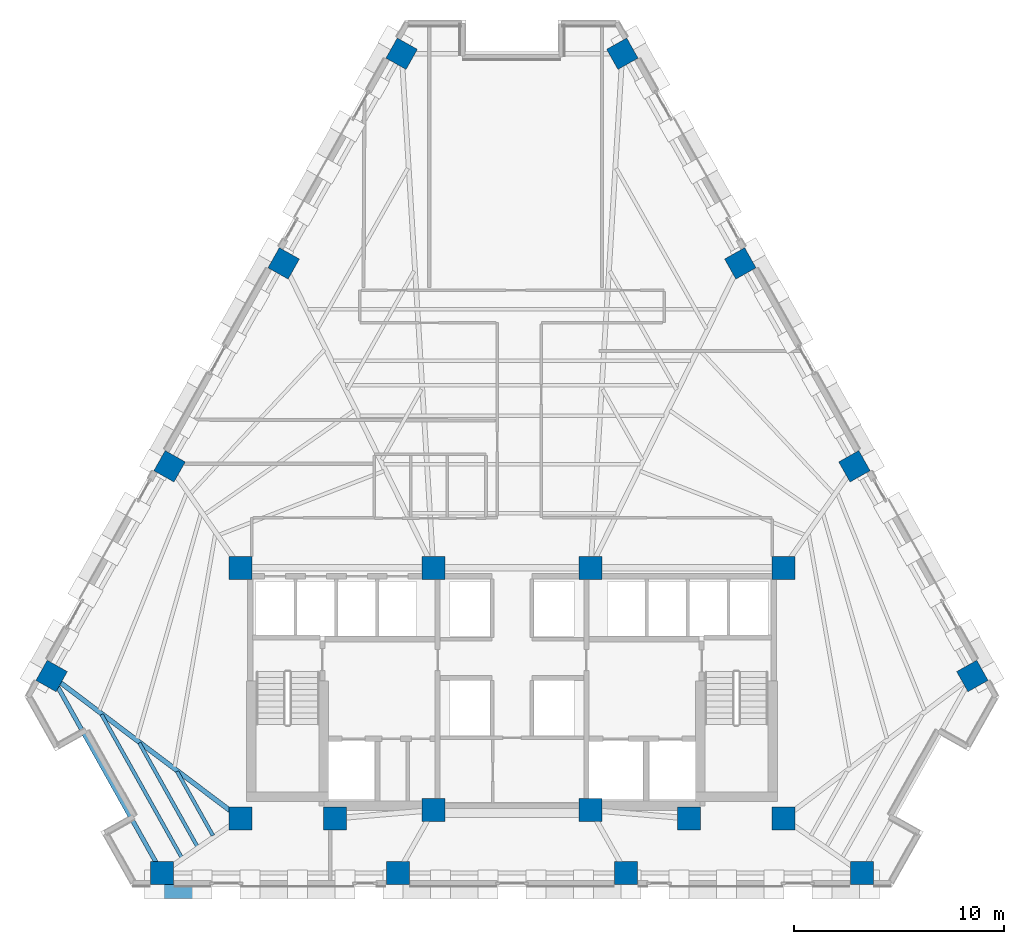
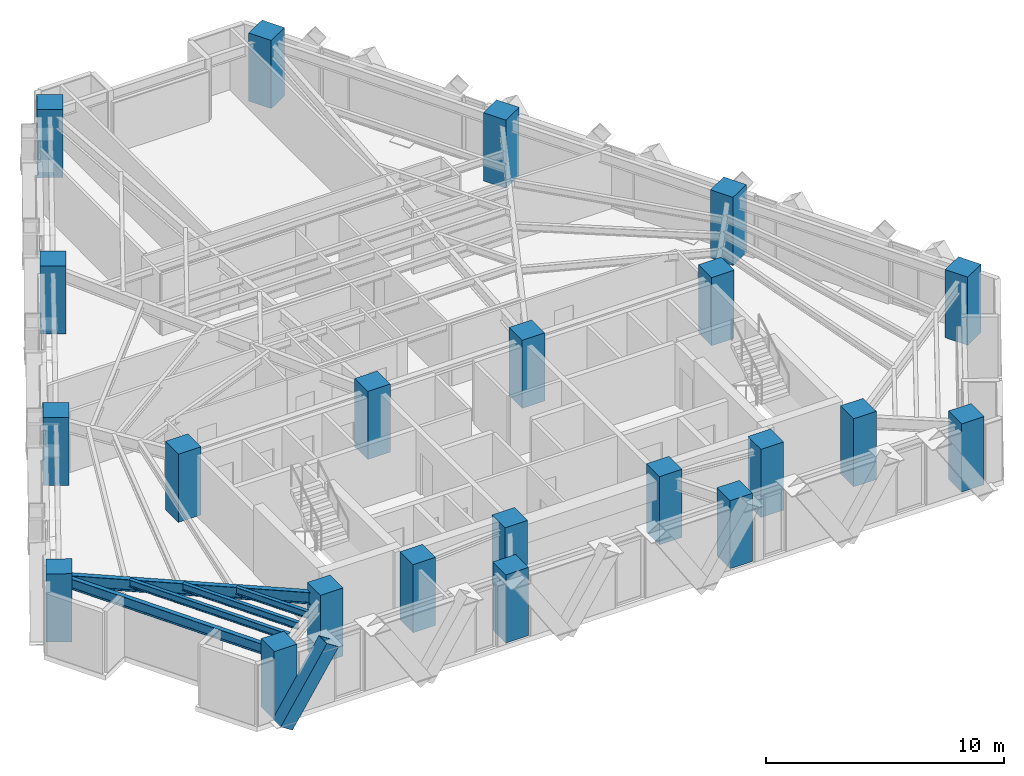
# One storey, part 1 of 13: 22 columns, 5 beams, 1 member.
"""IFC4 building model written with IfcOpenShell, lengths in metres."""

from ifc_helpers import new_model, si_unit, direction, frame, origin, origin_2d, place, context, subcontext, project, spatial, rectangle, hollow_rectangle, i_section, extrude, material, material_profile, profile_set, type_object, element, save


model = new_model("IFC4")

# Units and contexts
model_context = context("Model", 3, precision=1e-05, world=origin(), true_north=direction((0.0, 1.0)))
body_context = subcontext(model_context, "Body", "Model", "MODEL_VIEW")
ifc_project = project(units=[si_unit("LENGTHUNIT", "METRE"), si_unit("AREAUNIT", "SQUARE_METRE"), si_unit("VOLUMEUNIT", "CUBIC_METRE"), si_unit("PLANEANGLEUNIT", "RADIAN"), si_unit("MASSUNIT", "GRAM", prefix="KILO")], contexts=[model_context])

# Site, building, storey
site_placement = place(None, origin())
site = spatial("IfcSite", under=ifc_project, at=site_placement, CompositionType="ELEMENT")
building_placement = place(site_placement, origin())
building = spatial("IfcBuilding", under=site, at=building_placement, Name="Quenlor Broadcast Tower", CompositionType="ELEMENT")
storey_placement = place(building_placement, frame((0.0, 0.0, 87.10009765625)))
storey = spatial("IfcBuildingStorey", under=building, at=storey_placement, Name="L23", CompositionType="ELEMENT", Elevation=87.10009765625)

# Columns
ifc_material_1 = material(Name="Concrete C65/80", Category="concrete")
ifc_material_profile_1 = material_profile(ifc_material_1, rectangle(XDim=1.10009765625, YDim=1.10009765625, at=origin_2d()))
ifc_profile_set_1 = profile_set([ifc_material_profile_1], Name="Concrete C65/80 RC1100x1100")
column_type_1 = type_object("IfcColumnType", Name="Core Corner Column Mid Concrete C65/80 1100", PredefinedType="COLUMN", material=ifc_profile_set_1)
for number, where, z_axis, x_axis, name in (
    (1, (-12.949951171875, -16.75, 0.0), (0.0, 0.0, 1.0), (1.0, 0.0, 0.0), "L23 Core Column CC1"),
    (2, (-8.449951171875, -16.75, 0.0), (0.0, 0.0, 1.0), (1.0, 0.0, 0.0), "L23 Core Column CC2"),
    (3, (-3.75, -16.35009765625, 0.0), (0.0, 0.0, 1.0), (1.0, 0.0, 0.0), "L23 Core Column CC3"),
    (4, (3.75, -16.35009765625, 0.0), (0.0, 0.0, 1.0), (1.0, 0.0, 0.0), "L23 Core Column CC4"),
    (5, (8.449951171875, -16.75, 0.0), (0.0, 0.0, 1.0), (1.0, 0.0, 0.0), "L23 Core Column CC5"),
    (6, (12.949951171875, -16.75, 0.0), (0.0, 0.0, 1.0), (1.0, 0.0, 0.0), "L23 Core Column CC6"),
    (7, (-12.949951171875, -4.800048828125, 0.0), (0.0, 0.0, 1.0), (1.0, 0.0, 0.0), "L23 Core Column CC7"),
    (8, (-3.75, -4.800048828125, 0.0), (0.0, 0.0, 1.0), (1.0, 0.0, 0.0), "L23 Core Column CC8"),
    (9, (3.75, -4.800048828125, 0.0), (0.0, 0.0, 1.0), (1.0, 0.0, 0.0), "L23 Core Column CC9"),
    (10, (12.949951171875, -4.800048828125, 0.0), (0.0, 0.0, 1.0), (1.0, 0.0, 0.0), "L23 Core Column CC10"),
):
    element("IfcColumn", number, at=place(storey_placement, frame(where, z_axis=z_axis, x_axis=x_axis)), inside=storey, type_object=column_type_1, Name=name, PredefinedType="COLUMN", context=body_context, shape_type="SweptSolid", body=[
        extrude(rectangle(XDim=1.10009765625, YDim=1.10009765625, at=origin_2d()), origin(), (0.0, 0.0, 1.0), 3.5),
    ])
ifc_material_2 = material(Name="Concrete C65/80", Category="concrete")
ifc_material_profile_2 = material_profile(ifc_material_2, rectangle(XDim=1.10009765625, YDim=1.10009765625, at=origin_2d()))
ifc_profile_set_2 = profile_set([ifc_material_profile_2], Name="Concrete C65/80 RC1100x1100")
column_type_2 = type_object("IfcColumnType", Name="Tower Perimeter Column Z2 Concrete C65/80 1100", PredefinedType="COLUMN", material=ifc_profile_set_2)
for number, where, z_axis, x_axis, name in (
    (11, (-16.6923828125, -19.35009765625, 0.0), (0.0, 0.0, 1.0), (0.0, 1.0, 0.0), "L23 Perimeter Column S1"),
    (12, (-5.443115234375, -19.35009765625, 0.0), (0.0, 0.0, 1.0), (0.0, 1.0, 0.0), "L23 Perimeter Column S2"),
    (13, (5.443115234375, -19.35009765625, 0.0), (0.0, 0.0, 1.0), (0.0, 1.0, 0.0), "L23 Perimeter Column S3"),
    (14, (16.6923828125, -19.35009765625, 0.0), (0.0, 0.0, 1.0), (0.0, 1.0, 0.0), "L23 Perimeter Column S4"),
    (15, (21.95458984375, -9.95654296875, 0.0), (0.0, 0.0, 1.0), (0.871575139605, 0.490261946333, 0.0), "L23 Perimeter Column NE1"),
    (16, (16.330078125, 0.04296875, 0.0), (0.0, 0.0, 1.0), (0.871575139605, 0.490261946333, 0.0), "L23 Perimeter Column NE2"),
    (17, (10.886962890625, 9.7197265625, 0.0), (0.0, 0.0, 1.0), (0.871575139605, 0.490261946333, 0.0), "L23 Perimeter Column NE3"),
    (18, (5.26220703125, 19.718994140625, 0.0), (0.0, 0.0, 1.0), (0.871575139605, 0.490261946333, 0.0), "L23 Perimeter Column NE4"),
    (19, (-5.26220703125, 19.718994140625, 0.0), (0.0, 0.0, 1.0), (-0.871575139605, 0.490261946333, 0.0), "L23 Perimeter Column NW1"),
    (20, (-10.886962890625, 9.7197265625, 0.0), (0.0, 0.0, 1.0), (-0.871575139605, 0.490261946333, 0.0), "L23 Perimeter Column NW2"),
    (21, (-16.330078125, 0.04296875, 0.0), (0.0, 0.0, 1.0), (-0.871575139605, 0.490261946333, 0.0), "L23 Perimeter Column NW3"),
    (22, (-21.95458984375, -9.95654296875, 0.0), (0.0, 0.0, 1.0), (-0.871575139605, 0.490261946333, 0.0), "L23 Perimeter Column NW4"),
):
    element("IfcColumn", number, at=place(storey_placement, frame(where, z_axis=z_axis, x_axis=x_axis)), inside=storey, type_object=column_type_2, Name=name, PredefinedType="COLUMN", context=body_context, shape_type="SweptSolid", body=[
        extrude(rectangle(XDim=1.10009765625, YDim=1.10009765625, at=origin_2d()), origin(), (0.0, 0.0, 1.0), 3.5),
    ])

# Member
ifc_material_3 = material(Name="Steel S355", Category="steel")
ifc_material_profile_3 = material_profile(ifc_material_3, hollow_rectangle(XDim=0.679931640625, YDim=0.679931640625, WallThickness=0.030029296875, at=origin_2d()))
ifc_profile_set_3 = profile_set([ifc_material_profile_3], Name="Steel S355 RHS680x680x30")
member_type = type_object("IfcMemberType", Name="Perimeter Diagonal Lattice Brace Z2 Steel S355 RHS680x30", PredefinedType="BRACE", material=ifc_profile_set_3)
member_placement = place(storey_placement, frame((-17.030517578125, -20.235107421875, -0.1201171875), z_axis=(0.539968035679, 0.0, 0.841685523485), x_axis=(0.0, 1.0, 0.0)))
element("IfcMember", 23, at=member_placement, inside=storey, type_object=member_type, Name="L23 Perimeter Diamond Lattice S-C5B", PredefinedType="BRACE", context=body_context, shape_type="SweptSolid", body=[
    extrude(hollow_rectangle(XDim=0.679931640625, YDim=0.679931640625, WallThickness=0.030029296875, at=origin_2d()), origin(), (0.0, 0.0, 1.0), 4.158203125),
])

# Beams
ifc_material_4 = material(Name="Steel S355", Category="steel")
ifc_material_profile_4 = material_profile(ifc_material_4, i_section(OverallWidth=0.208984375, OverallDepth=0.5283203125, WebThickness=0.009521484375, FlangeThickness=0.01318359375, FilletRadius=0.013916015625, at=origin_2d()))
ifc_profile_set_4 = profile_set([ifc_material_profile_4], Name="Steel S355 530UB82.0")
beam_type_1 = type_object("IfcBeamType", Name="Perimeter Spandrel Beam Z2 Steel S355 530UB82.0", PredefinedType="SPANDREL", material=ifc_profile_set_4)
beam_1_placement = place(storey_placement, frame((-21.75439453125, -10.314208984375, 2.875732421875), z_axis=(0.488749102779, -0.872424389006, 0.0), x_axis=(0.872424389006, 0.488749102779, 0.0)))
element("IfcBeam", 24, at=beam_1_placement, inside=storey, type_object=beam_type_1, Name="L23 Spandrel Beam NW4-S1", PredefinedType="SPANDREL", context=body_context, shape_type="SweptSolid", body=[
    extrude(i_section(OverallWidth=0.208984375, OverallDepth=0.5283203125, WebThickness=0.009521484375, FlangeThickness=0.01318359375, FilletRadius=0.013916015625, at=origin_2d()), origin(), (0.0, 0.0, 1.0), 9.947021484375),
])
ifc_material_5 = material(Name="Steel S355", Category="steel")
ifc_material_profile_5 = material_profile(ifc_material_5, i_section(OverallWidth=0.172119140625, OverallDepth=0.358642578125, WebThickness=0.008056640625, FlangeThickness=0.012939453125, FilletRadius=0.011474609375, at=origin_2d()))
ifc_profile_set_5 = profile_set([ifc_material_profile_5], Name="Steel S355 360UB56.7")
beam_type_2 = type_object("IfcBeamType", Name="Tower Composite Joist Z2-Z3 Steel S355 360UB56.7", PredefinedType="JOIST", material=ifc_profile_set_5)
beam_2_placement = place(storey_placement, frame((-14.261474609375, -17.564208984375, 2.960693359375), z_axis=(-0.488730779643, 0.87243465373, 0.0), x_axis=(-0.87243465373, -0.488730779643, 0.0)))
element("IfcBeam", 25, at=beam_2_placement, inside=storey, type_object=beam_type_2, Name="L23 Secondary Composite Joist 19", PredefinedType="JOIST", context=body_context, shape_type="SweptSolid", body=[
    extrude(i_section(OverallWidth=0.172119140625, OverallDepth=0.358642578125, WebThickness=0.008056640625, FlangeThickness=0.012939453125, FilletRadius=0.011474609375, at=origin_2d()), origin(), (0.0, 0.0, 1.0), 3.500732421875),
])
beam_3_placement = place(storey_placement, frame((-15.010009765625, -18.084228515625, 2.960693359375), z_axis=(-0.488741419435, 0.87242869332, 0.0), x_axis=(-0.87242869332, -0.488741419435, 0.0)))
element("IfcBeam", 26, at=beam_3_placement, inside=storey, type_object=beam_type_2, Name="L23 Secondary Composite Joist 20", PredefinedType="JOIST", context=body_context, shape_type="SweptSolid", body=[
    extrude(i_section(OverallWidth=0.172119140625, OverallDepth=0.358642578125, WebThickness=0.008056640625, FlangeThickness=0.012939453125, FilletRadius=0.011474609375, at=origin_2d()), origin(), (0.0, 0.0, 1.0), 5.654052734375),
])
beam_4_placement = place(storey_placement, frame((-15.758544921875, -18.604248046875, 2.960693359375), z_axis=(-0.488732857155, 0.872433489922, 0.0), x_axis=(-0.872433489922, -0.488732857155, 0.0)))
element("IfcBeam", 27, at=beam_4_placement, inside=storey, type_object=beam_type_2, Name="L23 Secondary Composite Joist 21", PredefinedType="JOIST", context=body_context, shape_type="SweptSolid", body=[
    extrude(i_section(OverallWidth=0.172119140625, OverallDepth=0.358642578125, WebThickness=0.008056640625, FlangeThickness=0.012939453125, FilletRadius=0.011474609375, at=origin_2d()), origin(), (0.0, 0.0, 1.0), 7.807861328125),
])
ifc_material_6 = material(Name="Steel S355", Category="steel")
ifc_material_profile_6 = material_profile(ifc_material_6, i_section(OverallWidth=0.22802734375, OverallDepth=0.60205078125, WebThickness=0.010498046875, FlangeThickness=0.014892578125, FilletRadius=0.013916015625, at=origin_2d()))
ifc_profile_set_6 = profile_set([ifc_material_profile_6], Name="Steel S355 610UB101")
beam_type_3 = type_object("IfcBeamType", Name="Tower Primary Floor Beam Z2 Steel S355 610UB101", PredefinedType="BEAM", material=ifc_profile_set_6)
beam_5_placement = place(storey_placement, frame((-21.62744140625, -10.203369140625, 2.8388671875), z_axis=(0.798298724007, -0.602261693327, 0.0), x_axis=(0.602261693327, 0.798298724007, 0.0)))
element("IfcBeam", 28, at=beam_5_placement, inside=storey, type_object=beam_type_3, Name="L23 Primary Radial Beam NW4", PredefinedType="BEAM", context=body_context, shape_type="SweptSolid", body=[
    extrude(i_section(OverallWidth=0.22802734375, OverallDepth=0.60205078125, WebThickness=0.010498046875, FlangeThickness=0.014892578125, FilletRadius=0.013916015625, at=origin_2d()), origin(), (0.0, 0.0, 1.0), 10.48974609375),
])

save(model, "model.ifc")
